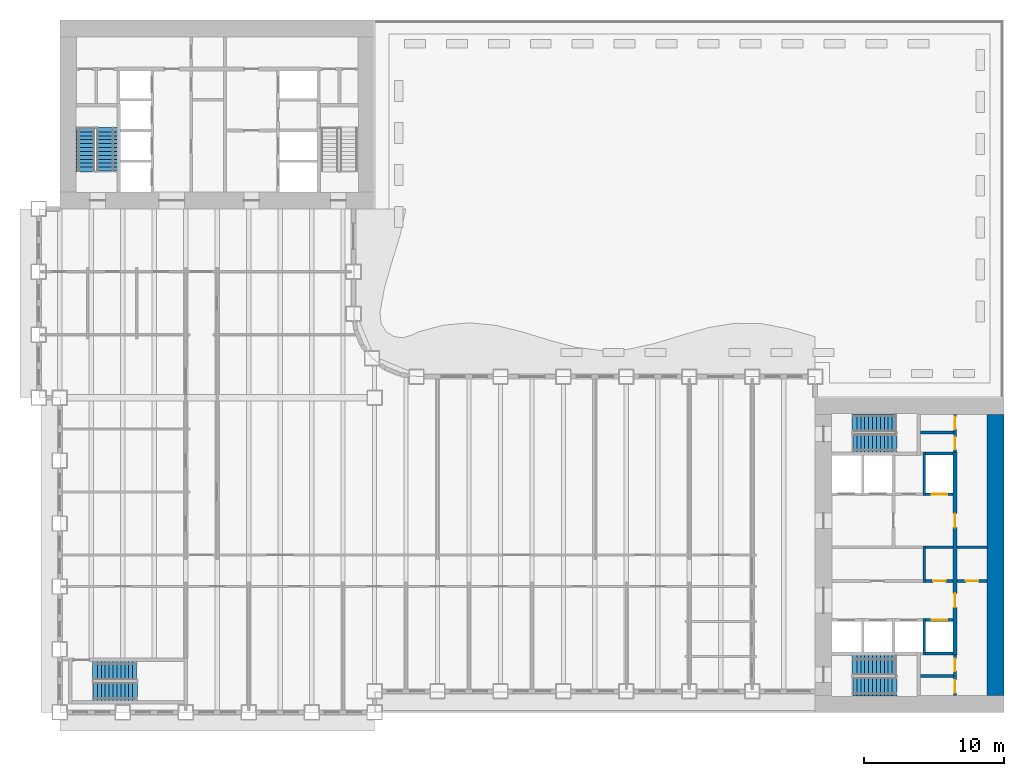
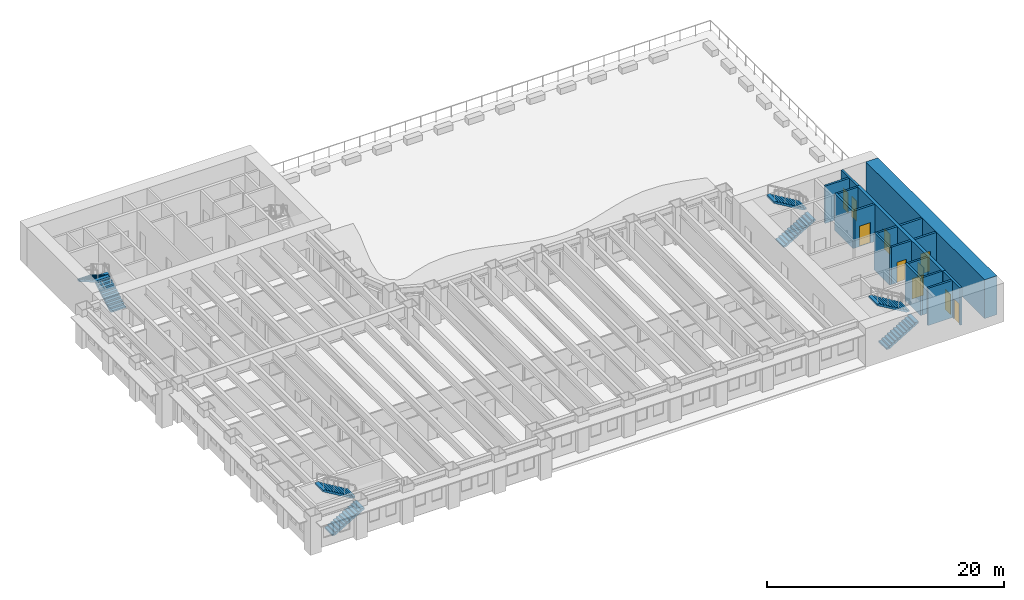
# One storey, part 9 of 18: 17 walls, 10 doors, 8 stair flights, 10 openings, 4 elements without a shape of their own.
"""IFC4 building model written with IfcOpenShell, lengths in metres."""

from ifc_helpers import new_model, si_unit, direction, frame, frame_2d, origin, place, context, subcontext, project, spatial, polyline, rectangle, outline, extrude, material, layer, layer_set, type_object, element, fill, aggregate, save


model = new_model("IFC4")

# Units and contexts
model_context = context("Model", 3, precision=1e-05, world=origin(), true_north=direction((0.0, 1.0)))
body_context = subcontext(model_context, "Body", "Model", "MODEL_VIEW")
ifc_project = project(units=[si_unit("LENGTHUNIT", "METRE"), si_unit("AREAUNIT", "SQUARE_METRE"), si_unit("VOLUMEUNIT", "CUBIC_METRE"), si_unit("PLANEANGLEUNIT", "RADIAN"), si_unit("MASSUNIT", "GRAM", prefix="KILO")], contexts=[model_context])

# Site, building, storey
site_placement = place(None, origin())
site = spatial("IfcSite", under=ifc_project, at=site_placement, CompositionType="ELEMENT")
building_placement = place(site_placement, origin())
building = spatial("IfcBuilding", under=site, at=building_placement, Name="Sennacour Bend Tower", CompositionType="ELEMENT")
storey_placement = place(building_placement, frame((0.0, 0.0, 29.0)))
storey = spatial("IfcBuildingStorey", under=building, at=storey_placement, Name="L05", CompositionType="ELEMENT", Elevation=29.0)

# Walls
ifc_material_1 = material(Name="Concrete C80/95", Category="concrete")
ifc_layer_1 = layer(ifc_material_1, 1.199951171875, Name="Concrete C80/95", Category="concrete")
ifc_layer_set_1 = layer_set([ifc_layer_1], Name="Concrete C80/95")
wall_type_1 = type_object("IfcWallType", Name="Core wall 1200 C80/95", PredefinedType="SHEAR", material=ifc_layer_set_1)
wall_1_placement = place(storey_placement, frame((66.89990234375, 1.199951171875, -0.14990234375), z_axis=(0.0, 0.0, 1.0), x_axis=(0.0, 1.0, 0.0)))
element("IfcWall", 1, at=wall_1_placement, inside=storey, type_object=wall_type_1, Name="Core A wall L05 E", PredefinedType="SHEAR", context=body_context, shape_type="SweptSolid", body=[
    extrude(rectangle(XDim=20.10009765625, YDim=1.199951171875, at=frame_2d((10.050048828125, 0.0))), origin(), (0.0, 0.0, 1.0), 4.0),
])
ifc_material_2 = material(Name="Fire-rated plasterboard partition on steel studs", Category="steel")
ifc_layer_2 = layer(ifc_material_2, 0.199951171875, Name="Fire-rated plasterboard partition on steel studs", Category="steel")
ifc_layer_set_2 = layer_set([ifc_layer_2], Name="Fire-rated plasterboard partition on steel studs")
wall_type_2 = type_object("IfcWallType", Name="Rated partition 200", PredefinedType="PARTITIONING", material=ifc_layer_set_2)
wall_2_placement = place(storey_placement, frame((61.800048828125, 9.300048828125, 0.0), z_axis=(0.0, 0.0, 1.0), x_axis=(0.0, 1.0, 0.0)))
element("IfcWall", 2, at=wall_2_placement, inside=storey, type_object=wall_type_2, Name="P-L05-W045", PredefinedType="PARTITIONING", context=body_context, shape_type="SweptSolid", body=[
    extrude(rectangle(XDim=2.599853515625, YDim=0.199951171875, at=frame_2d((1.2998046875, 0.0))), origin(), (0.0, 0.0, 1.0), 3.85009765625),
])

# Wall, openings, doors
wall_3_placement = place(storey_placement, frame((64.0, 1.199951171875, 0.0), z_axis=(0.0, 0.0, 1.0), x_axis=(0.0, 1.0, 0.0)))
wall_3 = element("IfcWall", 3, at=wall_3_placement, inside=storey, type_object=wall_type_2, Name="P-L05-W047", PredefinedType="PARTITIONING", context=body_context, shape_type="SweptSolid", body=[
    extrude(rectangle(XDim=2.900146484375, YDim=0.199951171875, at=frame_2d((1.4501953125, 0.0))), origin(), (0.0, 0.0, 1.0), 3.85009765625),
])
opening_1_placement = place(wall_3_placement, frame((0.199951171875, 0.0, 0.0)))
opening_1 = element("IfcOpeningElement", 4, at=opening_1_placement, cuts=wall_3, Name="Opening SV", PredefinedType="OPENING", context=body_context, shape_type="SweptSolid", body=[
    extrude(rectangle(XDim=0.89990234375, YDim=2.10009765625, at=frame_2d((0.449951171875, 1.050048828125))), frame((0.0, 0.10986328125, 0.0), z_axis=(0.0, -1.0, 0.0), x_axis=(1.0, 0.0, 0.0)), (0.0, 0.0, 1.0), 0.219970703125),
])
opening_2_placement = place(wall_3_placement, frame((1.75, 0.0, 0.0)))
opening_2 = element("IfcOpeningElement", 5, at=opening_2_placement, cuts=wall_3, Name="Opening WD", PredefinedType="OPENING", context=body_context, shape_type="SweptSolid", body=[
    extrude(rectangle(XDim=0.89990234375, YDim=2.10009765625, at=frame_2d((0.449951171875, 1.050048828125))), frame((0.0, 0.10986328125, 0.0), z_axis=(0.0, -1.0, 0.0), x_axis=(1.0, 0.0, 0.0)), (0.0, 0.0, 1.0), 0.219970703125),
])
ifc_material_3 = material(Name="Painted steel", Category="steel")
door_type_1 = type_object("IfcDoorType", Name="DR-SERVICE-900", OperationType="NOTDEFINED", PredefinedType="DOOR", material=ifc_material_3)
door_1_placement = place(opening_1_placement, origin())
door_1 = element("IfcDoor", 6, at=door_1_placement, inside=storey, type_object=door_type_1, Name="Door", OperationType="SINGLE_SWING_LEFT", OverallHeight=2.10009765625, OverallWidth=0.89990234375, PredefinedType="DOOR", context=body_context, shape_type="SweptSolid", body=[
    extrude(rectangle(XDim=0.89990234375, YDim=2.10009765625, at=frame_2d((0.449951171875, 1.050048828125))), frame((0.0, 0.02490234375, 0.0), z_axis=(0.0, -1.0, 0.0), x_axis=(1.0, 0.0, 0.0)), (0.0, 0.0, 1.0), 0.050048828125),
])
fill(opening_1, door_1)
ifc_material_4 = material(Name="Timber", Category="wood")
door_type_2 = type_object("IfcDoorType", Name="DR-WC-900", OperationType="NOTDEFINED", PredefinedType="DOOR", material=ifc_material_4)
door_2_placement = place(opening_2_placement, origin())
door_2 = element("IfcDoor", 7, at=door_2_placement, inside=storey, type_object=door_type_2, Name="Door", OperationType="SINGLE_SWING_RIGHT", OverallHeight=2.10009765625, OverallWidth=0.89990234375, PredefinedType="DOOR", context=body_context, shape_type="SweptSolid", body=[
    extrude(rectangle(XDim=0.89990234375, YDim=2.10009765625, at=frame_2d((0.449951171875, 1.050048828125))), frame((0.0, 0.02490234375, 0.0), z_axis=(0.0, -1.0, 0.0), x_axis=(1.0, 0.0, 0.0)), (0.0, 0.0, 1.0), 0.050048828125),
])
fill(opening_2, door_2)

wall_4_placement = place(storey_placement, frame((64.0, 18.60009765625, 0.0), z_axis=(0.0, 0.0, 1.0), x_axis=(0.0, 1.0, 0.0)))
wall_4 = element("IfcWall", 8, at=wall_4_placement, inside=storey, type_object=wall_type_2, Name="P-L05-W049", PredefinedType="PARTITIONING", context=body_context, shape_type="SweptSolid", body=[
    extrude(rectangle(XDim=2.699951171875, YDim=0.199951171875, at=frame_2d((1.35009765625, 0.0))), origin(), (0.0, 0.0, 1.0), 3.85009765625),
])
opening_3_placement = place(wall_4_placement, frame((0.199951171875, 0.0, 0.0)))
opening_3 = element("IfcOpeningElement", 9, at=opening_3_placement, cuts=wall_4, Name="Opening SV", PredefinedType="OPENING", context=body_context, shape_type="SweptSolid", body=[
    extrude(rectangle(XDim=0.89990234375, YDim=2.10009765625, at=frame_2d((0.449951171875, 1.050048828125))), frame((0.0, 0.10986328125, 0.0), z_axis=(0.0, -1.0, 0.0), x_axis=(1.0, 0.0, 0.0)), (0.0, 0.0, 1.0), 0.219970703125),
])
opening_4_placement = place(wall_4_placement, frame((1.64990234375, 0.0, 0.0)))
opening_4 = element("IfcOpeningElement", 10, at=opening_4_placement, cuts=wall_4, Name="Opening SV", PredefinedType="OPENING", context=body_context, shape_type="SweptSolid", body=[
    extrude(rectangle(XDim=0.89990234375, YDim=2.10009765625, at=frame_2d((0.449951171875, 1.050048828125))), frame((0.0, 0.10986328125, 0.0), z_axis=(0.0, -1.0, 0.0), x_axis=(1.0, 0.0, 0.0)), (0.0, 0.0, 1.0), 0.219970703125),
])
door_3_placement = place(opening_3_placement, origin())
door_3 = element("IfcDoor", 11, at=door_3_placement, inside=storey, type_object=door_type_1, Name="Door", OperationType="SINGLE_SWING_LEFT", OverallHeight=2.10009765625, OverallWidth=0.89990234375, PredefinedType="DOOR", context=body_context, shape_type="SweptSolid", body=[
    extrude(rectangle(XDim=0.89990234375, YDim=2.10009765625, at=frame_2d((0.449951171875, 1.050048828125))), frame((0.0, 0.02490234375, 0.0), z_axis=(0.0, -1.0, 0.0), x_axis=(1.0, 0.0, 0.0)), (0.0, 0.0, 1.0), 0.050048828125),
])
fill(opening_3, door_3)
door_4_placement = place(opening_4_placement, origin())
door_4 = element("IfcDoor", 12, at=door_4_placement, inside=storey, type_object=door_type_1, Name="Door", OperationType="SINGLE_SWING_RIGHT", OverallHeight=2.10009765625, OverallWidth=0.89990234375, PredefinedType="DOOR", context=body_context, shape_type="SweptSolid", body=[
    extrude(rectangle(XDim=0.89990234375, YDim=2.10009765625, at=frame_2d((0.449951171875, 1.050048828125))), frame((0.0, 0.02490234375, 0.0), z_axis=(0.0, -1.0, 0.0), x_axis=(1.0, 0.0, 0.0)), (0.0, 0.0, 1.0), 0.050048828125),
])
fill(opening_4, door_4)

# Wall
wall_5_placement = place(storey_placement, frame((61.52490234375, 2.60009765625, 0.0), z_axis=(0.0, 0.0, 1.0), x_axis=(1.0, 0.0, 0.0)))
element("IfcWall", 13, at=wall_5_placement, inside=storey, type_object=wall_type_2, Name="P-L05-W053", PredefinedType="PARTITIONING", context=body_context, shape_type="SweptSolid", body=[
    extrude(rectangle(XDim=2.375, YDim=0.199951171875, at=frame_2d((1.1875, 0.0))), origin(), (0.0, 0.0, 1.0), 3.85009765625),
])

# Wall, opening, door
wall_6_placement = place(storey_placement, frame((61.89990234375, 9.39990234375, 0.0), z_axis=(0.0, 0.0, 1.0), x_axis=(1.0, 0.0, 0.0)))
wall_6 = element("IfcWall", 14, at=wall_6_placement, inside=storey, type_object=wall_type_2, Name="P-L05-W062b", PredefinedType="PARTITIONING", context=body_context, shape_type="SweptSolid", body=[
    extrude(rectangle(XDim=1.9501953125, YDim=0.199951171875, at=frame_2d((0.97509765625, 0.0))), origin(), (0.0, 0.0, 1.0), 3.85009765625),
])
opening_5_placement = place(wall_6_placement, frame((0.525146484375, 0.0, 0.0)))
opening_5 = element("IfcOpeningElement", 15, at=opening_5_placement, cuts=wall_6, Name="Opening SV", PredefinedType="OPENING", context=body_context, shape_type="SweptSolid", body=[
    extrude(rectangle(XDim=0.89990234375, YDim=2.10009765625, at=frame_2d((0.449951171875, 1.050048828125))), frame((0.0, 0.10986328125, 0.0), z_axis=(0.0, -1.0, 0.0), x_axis=(1.0, 0.0, 0.0)), (0.0, 0.0, 1.0), 0.219970703125),
])
door_5_placement = place(opening_5_placement, origin())
door_5 = element("IfcDoor", 16, at=door_5_placement, inside=storey, type_object=door_type_1, Name="Door", OperationType="SINGLE_SWING_LEFT", OverallHeight=2.10009765625, OverallWidth=0.89990234375, PredefinedType="DOOR", context=body_context, shape_type="SweptSolid", body=[
    extrude(rectangle(XDim=0.89990234375, YDim=2.10009765625, at=frame_2d((0.449951171875, 1.050048828125))), frame((0.0, 0.02490234375, 0.0), z_axis=(0.0, -1.0, 0.0), x_axis=(1.0, 0.0, 0.0)), (0.0, 0.0, 1.0), 0.050048828125),
])
fill(opening_5, door_5)

wall_7_placement = place(storey_placement, frame((64.14990234375, 9.39990234375, 0.0), z_axis=(0.0, 0.0, 1.0), x_axis=(1.0, 0.0, 0.0)))
wall_7 = element("IfcWall", 17, at=wall_7_placement, inside=storey, type_object=wall_type_2, Name="P-L05-W062c", PredefinedType="PARTITIONING", context=body_context, shape_type="SweptSolid", body=[
    extrude(rectangle(XDim=2.150146484375, YDim=0.199951171875, at=frame_2d((1.0751953125, 0.0))), origin(), (0.0, 0.0, 1.0), 3.85009765625),
])
opening_6_placement = place(wall_7_placement, frame((0.625, 0.0, 0.0)))
opening_6 = element("IfcOpeningElement", 18, at=opening_6_placement, cuts=wall_7, Name="Opening SV", PredefinedType="OPENING", context=body_context, shape_type="SweptSolid", body=[
    extrude(rectangle(XDim=0.89990234375, YDim=2.10009765625, at=frame_2d((0.449951171875, 1.050048828125))), frame((0.0, 0.10986328125, 0.0), z_axis=(0.0, -1.0, 0.0), x_axis=(1.0, 0.0, 0.0)), (0.0, 0.0, 1.0), 0.219970703125),
])
door_6_placement = place(opening_6_placement, origin())
door_6 = element("IfcDoor", 19, at=door_6_placement, inside=storey, type_object=door_type_1, Name="Door", OperationType="SINGLE_SWING_LEFT", OverallHeight=2.10009765625, OverallWidth=0.89990234375, PredefinedType="DOOR", context=body_context, shape_type="SweptSolid", body=[
    extrude(rectangle(XDim=0.89990234375, YDim=2.10009765625, at=frame_2d((0.449951171875, 1.050048828125))), frame((0.0, 0.02490234375, 0.0), z_axis=(0.0, -1.0, 0.0), x_axis=(1.0, 0.0, 0.0)), (0.0, 0.0, 1.0), 0.050048828125),
])
fill(opening_6, door_6)

# Walls
wall_8_placement = place(storey_placement, frame((61.89990234375, 11.800048828125, 0.0), z_axis=(0.0, 0.0, 1.0), x_axis=(1.0, 0.0, 0.0)))
element("IfcWall", 20, at=wall_8_placement, inside=storey, type_object=wall_type_2, Name="P-L05-W064c", PredefinedType="PARTITIONING", context=body_context, shape_type="SweptSolid", body=[
    extrude(rectangle(XDim=1.9501953125, YDim=0.199951171875, at=frame_2d((0.97509765625, 0.0))), origin(), (0.0, 0.0, 1.0), 3.85009765625),
])
wall_9_placement = place(storey_placement, frame((64.14990234375, 11.800048828125, 0.0), z_axis=(0.0, 0.0, 1.0), x_axis=(1.0, 0.0, 0.0)))
element("IfcWall", 21, at=wall_9_placement, inside=storey, type_object=wall_type_2, Name="P-L05-W064d", PredefinedType="PARTITIONING", context=body_context, shape_type="SweptSolid", body=[
    extrude(rectangle(XDim=2.150146484375, YDim=0.199951171875, at=frame_2d((1.0751953125, 0.0))), origin(), (0.0, 0.0, 1.0), 3.85009765625),
])
wall_10_placement = place(storey_placement, frame((61.52490234375, 20.0, 0.0), z_axis=(0.0, 0.0, 1.0), x_axis=(1.0, 0.0, 0.0)))
element("IfcWall", 22, at=wall_10_placement, inside=storey, type_object=wall_type_2, Name="P-L05-W072", PredefinedType="PARTITIONING", context=body_context, shape_type="SweptSolid", body=[
    extrude(rectangle(XDim=2.375, YDim=0.199951171875, at=frame_2d((1.1875, 0.0))), origin(), (0.0, 0.0, 1.0), 3.85009765625),
])
ifc_material_5 = material(Name="Concrete C50/60", Category="concrete")
ifc_layer_3 = layer(ifc_material_5, 0.199951171875, Name="Concrete C50/60", Category="concrete")
ifc_layer_set_3 = layer_set([ifc_layer_3], Name="Concrete C50/60")
wall_type_3 = type_object("IfcWallType", Name="Shaft wall 200", PredefinedType="SOLIDWALL", material=ifc_layer_set_3)
wall_11_placement = place(storey_placement, frame((61.800048828125, 4.10009765625, 0.0), z_axis=(0.0, 0.0, 1.0), x_axis=(0.0, 1.0, 0.0)))
element("IfcWall", 23, at=wall_11_placement, inside=storey, type_object=wall_type_3, Name="P-L05-W044", PredefinedType="SOLIDWALL", context=body_context, shape_type="SweptSolid", body=[
    extrude(rectangle(XDim=2.599853515625, YDim=0.199951171875, at=frame_2d((1.2998046875, 0.0))), origin(), (0.0, 0.0, 1.0), 3.85009765625),
])
wall_12_placement = place(storey_placement, frame((61.800048828125, 15.5, 0.0), z_axis=(0.0, 0.0, 1.0), x_axis=(0.0, 1.0, 0.0)))
element("IfcWall", 24, at=wall_12_placement, inside=storey, type_object=wall_type_3, Name="P-L05-W046", PredefinedType="SOLIDWALL", context=body_context, shape_type="SweptSolid", body=[
    extrude(rectangle(XDim=3.10009765625, YDim=0.199951171875, at=frame_2d((1.550048828125, 0.0))), origin(), (0.0, 0.0, 1.0), 3.85009765625),
])
wall_13_placement = place(storey_placement, frame((61.89990234375, 4.199951171875, 0.0), z_axis=(0.0, 0.0, 1.0), x_axis=(1.0, 0.0, 0.0)))
element("IfcWall", 25, at=wall_13_placement, inside=storey, type_object=wall_type_3, Name="P-L05-W058b", PredefinedType="SOLIDWALL", context=body_context, shape_type="SweptSolid", body=[
    extrude(rectangle(XDim=1.9501953125, YDim=0.199951171875, at=frame_2d((0.97509765625, 0.0))), origin(), (0.0, 0.0, 1.0), 3.85009765625),
])

# Wall, opening, door
wall_14_placement = place(storey_placement, frame((61.89990234375, 6.60009765625, 0.0), z_axis=(0.0, 0.0, 1.0), x_axis=(1.0, 0.0, 0.0)))
wall_14 = element("IfcWall", 26, at=wall_14_placement, inside=storey, type_object=wall_type_3, Name="P-L05-W060d", PredefinedType="SOLIDWALL", context=body_context, shape_type="SweptSolid", body=[
    extrude(rectangle(XDim=1.9501953125, YDim=0.199951171875, at=frame_2d((0.97509765625, 0.0))), origin(), (0.0, 0.0, 1.0), 3.85009765625),
])
opening_7_placement = place(wall_14_placement, frame((0.425048828125, 0.0, 0.011962890625)))
opening_7 = element("IfcOpeningElement", 27, at=opening_7_placement, cuts=wall_14, Name="Opening LD", PredefinedType="OPENING", context=body_context, shape_type="SweptSolid", body=[
    extrude(rectangle(XDim=1.10009765625, YDim=2.10009765625, at=frame_2d((0.550048828125, 1.050048828125))), frame((0.0, 0.10986328125, 0.0), z_axis=(0.0, -1.0, 0.0), x_axis=(1.0, 0.0, 0.0)), (0.0, 0.0, 1.0), 0.219970703125),
])
ifc_material_6 = material(Name="Stainless steel", Category="steel")
door_type_3 = type_object("IfcDoorType", Name="DR-LANDING-1100", OperationType="NOTDEFINED", PredefinedType="DOOR", material=ifc_material_6)
door_7_placement = place(opening_7_placement, origin())
door_7 = element("IfcDoor", 28, at=door_7_placement, inside=storey, type_object=door_type_3, Name="Lift landing door LA4", OperationType="SLIDING_TO_RIGHT", OverallHeight=2.10009765625, OverallWidth=1.10009765625, PredefinedType="DOOR", context=body_context, shape_type="SweptSolid", body=[
    extrude(rectangle(XDim=1.10009765625, YDim=2.10009765625, at=frame_2d((0.550048828125, 1.050048828125))), frame((0.0, 0.02490234375, 0.0), z_axis=(0.0, -1.0, 0.0), x_axis=(1.0, 0.0, 0.0)), (0.0, 0.0, 1.0), 0.050048828125),
])
fill(opening_7, door_7)

wall_15_placement = place(storey_placement, frame((61.89990234375, 15.60009765625, 0.0), z_axis=(0.0, 0.0, 1.0), x_axis=(1.0, 0.0, 0.0)))
wall_15 = element("IfcWall", 29, at=wall_15_placement, inside=storey, type_object=wall_type_3, Name="P-L05-W067", PredefinedType="SOLIDWALL", context=body_context, shape_type="SweptSolid", body=[
    extrude(rectangle(XDim=1.9501953125, YDim=0.199951171875, at=frame_2d((0.97509765625, 0.0))), origin(), (0.0, 0.0, 1.0), 3.85009765625),
])
opening_8_placement = place(wall_15_placement, frame((0.425048828125, 0.0, 0.011962890625)))
opening_8 = element("IfcOpeningElement", 30, at=opening_8_placement, cuts=wall_15, Name="Opening LD", PredefinedType="OPENING", context=body_context, shape_type="SweptSolid", body=[
    extrude(rectangle(XDim=1.10009765625, YDim=2.10009765625, at=frame_2d((0.550048828125, 1.050048828125))), frame((0.0, 0.10986328125, 0.0), z_axis=(0.0, -1.0, 0.0), x_axis=(1.0, 0.0, 0.0)), (0.0, 0.0, 1.0), 0.219970703125),
])
door_8_placement = place(opening_8_placement, origin())
door_8 = element("IfcDoor", 31, at=door_8_placement, inside=storey, type_object=door_type_3, Name="Lift landing door LA5", OperationType="SLIDING_TO_LEFT", OverallHeight=2.10009765625, OverallWidth=1.10009765625, PredefinedType="DOOR", context=body_context, shape_type="SweptSolid", body=[
    extrude(rectangle(XDim=1.10009765625, YDim=2.10009765625, at=frame_2d((0.550048828125, 1.050048828125))), frame((0.0, 0.02490234375, 0.0), z_axis=(0.0, -1.0, 0.0), x_axis=(1.0, 0.0, 0.0)), (0.0, 0.0, 1.0), 0.050048828125),
])
fill(opening_8, door_8)

# Wall
wall_16_placement = place(storey_placement, frame((61.89990234375, 18.5, 0.0), z_axis=(0.0, 0.0, 1.0), x_axis=(1.0, 0.0, 0.0)))
element("IfcWall", 32, at=wall_16_placement, inside=storey, type_object=wall_type_3, Name="P-L05-W071", PredefinedType="SOLIDWALL", context=body_context, shape_type="SweptSolid", body=[
    extrude(rectangle(XDim=1.9501953125, YDim=0.199951171875, at=frame_2d((0.97509765625, 0.0))), origin(), (0.0, 0.0, 1.0), 3.85009765625),
])

# Wall, openings, doors
ifc_material_7 = material(Name="Concrete C60/75", Category="concrete")
ifc_layer_4 = layer(ifc_material_7, 0.300048828125, Name="Concrete C60/75", Category="concrete")
ifc_layer_set_4 = layer_set([ifc_layer_4], Name="Concrete C60/75")
wall_type_4 = type_object("IfcWallType", Name="Spine wall 300", PredefinedType="SHEAR", material=ifc_layer_set_4)
wall_17_placement = place(storey_placement, frame((64.0, 4.10009765625, 0.0), z_axis=(0.0, 0.0, 1.0), x_axis=(0.0, 1.0, 0.0)))
wall_17 = element("IfcWall", 33, at=wall_17_placement, inside=storey, type_object=wall_type_4, Name="P-L05-W048", PredefinedType="SHEAR", context=body_context, shape_type="SweptSolid", body=[
    extrude(rectangle(XDim=14.5, YDim=0.300048828125, at=frame_2d((7.25, 0.0))), origin(), (0.0, 0.0, 1.0), 3.85009765625),
])
opening_9_placement = place(wall_17_placement, frame((3.39990234375, 0.0, 0.0)))
opening_9 = element("IfcOpeningElement", 34, at=opening_9_placement, cuts=wall_17, Name="Opening CD2", PredefinedType="OPENING", context=body_context, shape_type="SweptSolid", body=[
    extrude(rectangle(XDim=1.0, YDim=2.10009765625, at=frame_2d((0.5, 1.050048828125))), frame((0.0, 0.16015625, 0.0), z_axis=(0.0, -1.0, 0.0), x_axis=(1.0, 0.0, 0.0)), (0.0, 0.0, 1.0), 0.320068359375),
])
opening_10_placement = place(wall_17_placement, frame((9.099853515625, 0.0, 0.0)))
opening_10 = element("IfcOpeningElement", 35, at=opening_10_placement, cuts=wall_17, Name="Opening CD2", PredefinedType="OPENING", context=body_context, shape_type="SweptSolid", body=[
    extrude(rectangle(XDim=1.0, YDim=2.10009765625, at=frame_2d((0.5, 1.050048828125))), frame((0.0, 0.16015625, 0.0), z_axis=(0.0, -1.0, 0.0), x_axis=(1.0, 0.0, 0.0)), (0.0, 0.0, 1.0), 0.320068359375),
])
door_type_4 = type_object("IfcDoorType", Name="DR-LOBBY-1000", OperationType="NOTDEFINED", PredefinedType="DOOR", material=ifc_material_3)
door_9_placement = place(opening_9_placement, origin())
door_9 = element("IfcDoor", 36, at=door_9_placement, inside=storey, type_object=door_type_4, Name="Door", OperationType="SINGLE_SWING_LEFT", OverallHeight=2.10009765625, OverallWidth=1.0, PredefinedType="DOOR", context=body_context, shape_type="SweptSolid", body=[
    extrude(rectangle(XDim=1.0, YDim=2.10009765625, at=frame_2d((0.5, 1.050048828125))), frame((0.0, 0.02490234375, 0.0), z_axis=(0.0, -1.0, 0.0), x_axis=(1.0, 0.0, 0.0)), (0.0, 0.0, 1.0), 0.050048828125),
])
fill(opening_9, door_9)
door_10_placement = place(opening_10_placement, origin())
door_10 = element("IfcDoor", 37, at=door_10_placement, inside=storey, type_object=door_type_4, Name="Door", OperationType="SINGLE_SWING_RIGHT", OverallHeight=2.10009765625, OverallWidth=1.0, PredefinedType="DOOR", context=body_context, shape_type="SweptSolid", body=[
    extrude(rectangle(XDim=1.0, YDim=2.10009765625, at=frame_2d((0.5, 1.050048828125))), frame((0.0, 0.02490234375, 0.0), z_axis=(0.0, -1.0, 0.0), x_axis=(1.0, 0.0, 0.0)), (0.0, 0.0, 1.0), 0.050048828125),
])
fill(opening_10, door_10)

# Stair, stair flights
ifc_material_8 = material(Name="Concrete C40/50", Category="concrete")
stair_type = type_object("IfcStairType", Name="ST-DOGLEG", PredefinedType="HALF_TURN_STAIR", material=ifc_material_8)
stair_1_placement = place(storey_placement, origin())
stair_1 = element("IfcStair", 38, at=stair_1_placement, inside=storey, type_object=stair_type, Name="L05 Exit stair A1", PredefinedType="HALF_TURN_STAIR")
stair_flight_type = type_object("IfcStairFlightType", Name="SFL-RC", PredefinedType="STRAIGHT", material=ifc_material_8)
stair_flight_1_placement = place(storey_placement, frame((56.699951171875, 1.8349609375, 0.0), z_axis=(0.0, 0.0, 1.0), x_axis=(1.0, 0.0, 0.0)))
stair_flight_1 = element("IfcStairFlight", 39, at=stair_flight_1_placement, type_object=stair_flight_type, Name="SA1 flight 1", NumberOfRisers=12, NumberOfTreads=11, PredefinedType="STRAIGHT", RiserHeight=0.166666667, TreadLength=0.28, context=body_context, shape_type="SweptSolid", body=[
    extrude(outline(polyline([(0.0, 0.0), (0.0, 0.166748046875), (0.280029296875, 0.166748046875), (0.280029296875, 0.333251953125), (0.56005859375, 0.333251953125), (0.56005859375, 0.5), (0.840087890625, 0.5), (0.840087890625, 0.666748046875), (1.1201171875, 0.666748046875), (1.1201171875, 0.833251953125), (1.39990234375, 0.833251953125), (1.39990234375, 1.0), (1.679931640625, 1.0), (1.679931640625, 1.166748046875), (1.9599609375, 1.166748046875), (1.9599609375, 1.333251953125), (2.239990234375, 1.333251953125), (2.239990234375, 1.5), (2.52001953125, 1.5), (2.52001953125, 1.666748046875), (2.800048828125, 1.666748046875), (2.800048828125, 1.833251953125), (3.080078125, 1.833251953125), (3.139892578125, 1.833251953125), (3.139892578125, 1.658935546875), (3.080078125, 1.658935546875), (0.29296875, 0.0), (0.0, 0.0)])), frame((0.0, 0.6650390625, 0.0), z_axis=(0.0, -1.0, 0.0), x_axis=(1.0, 0.0, 0.0)), (0.0, 0.0, 1.0), 1.330078125),
])
stair_flight_2_placement = place(storey_placement, frame((59.780029296875, 3.37744140625, 2.0), z_axis=(0.0, 0.0, 1.0), x_axis=(-1.0, 0.0, 0.0)))
stair_flight_2 = element("IfcStairFlight", 40, at=stair_flight_2_placement, type_object=stair_flight_type, Name="SA1 flight 2", NumberOfRisers=12, NumberOfTreads=11, PredefinedType="STRAIGHT", RiserHeight=0.166666667, TreadLength=0.28, context=body_context, shape_type="SweptSolid", body=[
    extrude(outline(polyline([(0.0, 0.0), (0.0, 0.166748046875), (0.280029296875, 0.166748046875), (0.280029296875, 0.333251953125), (0.56005859375, 0.333251953125), (0.56005859375, 0.5), (0.840087890625, 0.5), (0.840087890625, 0.666748046875), (1.1201171875, 0.666748046875), (1.1201171875, 0.833251953125), (1.39990234375, 0.833251953125), (1.39990234375, 1.0), (1.679931640625, 1.0), (1.679931640625, 1.166748046875), (1.9599609375, 1.166748046875), (1.9599609375, 1.333251953125), (2.239990234375, 1.333251953125), (2.239990234375, 1.5), (2.52001953125, 1.5), (2.52001953125, 1.666748046875), (2.800048828125, 1.666748046875), (2.800048828125, 1.833251953125), (3.080078125, 1.833251953125), (3.139892578125, 1.833251953125), (3.139892578125, 1.658935546875), (3.080078125, 1.658935546875), (0.29296875, 0.0), (0.0, 0.0)])), frame((0.0, 0.7275390625, 0.0), z_axis=(0.0, -1.0, 0.0), x_axis=(1.0, 0.0, 0.0)), (0.0, 0.0, 1.0), 1.455078125),
])
aggregate(stair_1, [stair_flight_1, stair_flight_2])

stair_2_placement = place(storey_placement, origin())
stair_2 = element("IfcStair", 41, at=stair_2_placement, inside=storey, type_object=stair_type, Name="L05 Exit stair A2", PredefinedType="HALF_TURN_STAIR")
stair_flight_3_placement = place(storey_placement, frame((56.699951171875, 19.24755859375, 0.0), z_axis=(0.0, 0.0, 1.0), x_axis=(1.0, 0.0, 0.0)))
stair_flight_3 = element("IfcStairFlight", 42, at=stair_flight_3_placement, type_object=stair_flight_type, Name="SA2 flight 1", NumberOfRisers=12, NumberOfTreads=11, PredefinedType="STRAIGHT", RiserHeight=0.166666667, TreadLength=0.28, context=body_context, shape_type="SweptSolid", body=[
    extrude(outline(polyline([(0.0, 0.0), (0.0, 0.166748046875), (0.280029296875, 0.166748046875), (0.280029296875, 0.333251953125), (0.56005859375, 0.333251953125), (0.56005859375, 0.5), (0.840087890625, 0.5), (0.840087890625, 0.666748046875), (1.1201171875, 0.666748046875), (1.1201171875, 0.833251953125), (1.39990234375, 0.833251953125), (1.39990234375, 1.0), (1.679931640625, 1.0), (1.679931640625, 1.166748046875), (1.9599609375, 1.166748046875), (1.9599609375, 1.333251953125), (2.239990234375, 1.333251953125), (2.239990234375, 1.5), (2.52001953125, 1.5), (2.52001953125, 1.666748046875), (2.800048828125, 1.666748046875), (2.800048828125, 1.833251953125), (3.080078125, 1.833251953125), (3.139892578125, 1.833251953125), (3.139892578125, 1.658935546875), (3.080078125, 1.658935546875), (0.29296875, 0.0), (0.0, 0.0)])), frame((0.0, 0.65234375, 0.0), z_axis=(0.0, -1.0, 0.0), x_axis=(1.0, 0.0, 0.0)), (0.0, 0.0, 1.0), 1.304931640625),
])
stair_flight_4_placement = place(storey_placement, frame((59.780029296875, 20.68994140625, 2.0), z_axis=(0.0, 0.0, 1.0), x_axis=(-1.0, 0.0, 0.0)))
stair_flight_4 = element("IfcStairFlight", 43, at=stair_flight_4_placement, type_object=stair_flight_type, Name="SA2 flight 2", NumberOfRisers=12, NumberOfTreads=11, PredefinedType="STRAIGHT", RiserHeight=0.166666667, TreadLength=0.28, context=body_context, shape_type="SweptSolid", body=[
    extrude(outline(polyline([(0.0, 0.0), (0.0, 0.166748046875), (0.280029296875, 0.166748046875), (0.280029296875, 0.333251953125), (0.56005859375, 0.333251953125), (0.56005859375, 0.5), (0.840087890625, 0.5), (0.840087890625, 0.666748046875), (1.1201171875, 0.666748046875), (1.1201171875, 0.833251953125), (1.39990234375, 0.833251953125), (1.39990234375, 1.0), (1.679931640625, 1.0), (1.679931640625, 1.166748046875), (1.9599609375, 1.166748046875), (1.9599609375, 1.333251953125), (2.239990234375, 1.333251953125), (2.239990234375, 1.5), (2.52001953125, 1.5), (2.52001953125, 1.666748046875), (2.800048828125, 1.666748046875), (2.800048828125, 1.833251953125), (3.080078125, 1.833251953125), (3.139892578125, 1.833251953125), (3.139892578125, 1.658935546875), (3.080078125, 1.658935546875), (0.29296875, 0.0), (0.0, 0.0)])), frame((0.0, 0.64013671875, 0.0), z_axis=(0.0, -1.0, 0.0), x_axis=(1.0, 0.0, 0.0)), (0.0, 0.0, 1.0), 1.280029296875),
])
aggregate(stair_2, [stair_flight_3, stair_flight_4])

stair_3_placement = place(storey_placement, origin())
stair_3 = element("IfcStair", 44, at=stair_3_placement, inside=storey, type_object=stair_type, Name="L05 Exit stair B1", PredefinedType="HALF_TURN_STAIR")
stair_flight_5_placement = place(storey_placement, frame((3.37744140625, 38.699951171875, 0.0), z_axis=(0.0, 0.0, 1.0), x_axis=(0.0, 1.0, 0.0)))
stair_flight_5 = element("IfcStairFlight", 45, at=stair_flight_5_placement, type_object=stair_flight_type, Name="SB1 flight 1", NumberOfRisers=12, NumberOfTreads=11, PredefinedType="STRAIGHT", RiserHeight=0.166666667, TreadLength=0.28, context=body_context, shape_type="SweptSolid", body=[
    extrude(outline(polyline([(0.0, 0.0), (0.0, 0.166748046875), (0.280029296875, 0.166748046875), (0.280029296875, 0.333251953125), (0.56005859375, 0.333251953125), (0.56005859375, 0.5), (0.840087890625, 0.5), (0.840087890625, 0.666748046875), (1.1201171875, 0.666748046875), (1.1201171875, 0.833251953125), (1.39990234375, 0.833251953125), (1.39990234375, 1.0), (1.679931640625, 1.0), (1.679931640625, 1.166748046875), (1.9599609375, 1.166748046875), (1.9599609375, 1.333251953125), (2.239990234375, 1.333251953125), (2.239990234375, 1.5), (2.52001953125, 1.5), (2.52001953125, 1.666748046875), (2.800048828125, 1.666748046875), (2.800048828125, 1.833251953125), (3.080078125, 1.833251953125), (3.139892578125, 1.833251953125), (3.139892578125, 1.658935546875), (3.080078125, 1.658935546875), (0.29296875, 0.0), (0.0, 0.0)])), frame((0.0, 0.7275390625, 0.0), z_axis=(0.0, -1.0, 0.0), x_axis=(1.0, 0.0, 0.0)), (0.0, 0.0, 1.0), 1.455078125),
])
stair_flight_6_placement = place(storey_placement, frame((1.8349609375, 41.780029296875, 2.0), z_axis=(0.0, 0.0, 1.0), x_axis=(0.0, -1.0, 0.0)))
stair_flight_6 = element("IfcStairFlight", 46, at=stair_flight_6_placement, type_object=stair_flight_type, Name="SB1 flight 2", NumberOfRisers=12, NumberOfTreads=11, PredefinedType="STRAIGHT", RiserHeight=0.166666667, TreadLength=0.28, context=body_context, shape_type="SweptSolid", body=[
    extrude(outline(polyline([(0.0, 0.0), (0.0, 0.166748046875), (0.280029296875, 0.166748046875), (0.280029296875, 0.333251953125), (0.56005859375, 0.333251953125), (0.56005859375, 0.5), (0.840087890625, 0.5), (0.840087890625, 0.666748046875), (1.1201171875, 0.666748046875), (1.1201171875, 0.833251953125), (1.39990234375, 0.833251953125), (1.39990234375, 1.0), (1.679931640625, 1.0), (1.679931640625, 1.166748046875), (1.9599609375, 1.166748046875), (1.9599609375, 1.333251953125), (2.239990234375, 1.333251953125), (2.239990234375, 1.5), (2.52001953125, 1.5), (2.52001953125, 1.666748046875), (2.800048828125, 1.666748046875), (2.800048828125, 1.833251953125), (3.080078125, 1.833251953125), (3.139892578125, 1.833251953125), (3.139892578125, 1.658935546875), (3.080078125, 1.658935546875), (0.29296875, 0.0), (0.0, 0.0)])), frame((0.0, 0.6650390625, 0.0), z_axis=(0.0, -1.0, 0.0), x_axis=(1.0, 0.0, 0.0)), (0.0, 0.0, 1.0), 1.330078125),
])
aggregate(stair_3, [stair_flight_5, stair_flight_6])

stair_4_placement = place(storey_placement, origin())
stair_4 = element("IfcStair", 47, at=stair_4_placement, inside=storey, type_object=stair_type, Name="L05 Exit stair K1", PredefinedType="HALF_TURN_STAIR")
stair_flight_7_placement = place(storey_placement, frame((2.39990234375, 1.485107421875, 0.0), z_axis=(0.0, 0.0, 1.0), x_axis=(1.0, 0.0, 0.0)))
stair_flight_7 = element("IfcStairFlight", 48, at=stair_flight_7_placement, type_object=stair_flight_type, Name="SK1 flight 1", NumberOfRisers=12, NumberOfTreads=11, PredefinedType="STRAIGHT", RiserHeight=0.166666667, TreadLength=0.28, context=body_context, shape_type="SweptSolid", body=[
    extrude(outline(polyline([(0.0, 0.0), (0.0, 0.166748046875), (0.280029296875, 0.166748046875), (0.280029296875, 0.333251953125), (0.56005859375, 0.333251953125), (0.56005859375, 0.5), (0.840087890625, 0.5), (0.840087890625, 0.666748046875), (1.1201171875, 0.666748046875), (1.1201171875, 0.833251953125), (1.39990234375, 0.833251953125), (1.39990234375, 1.0), (1.679931640625, 1.0), (1.679931640625, 1.166748046875), (1.9599609375, 1.166748046875), (1.9599609375, 1.333251953125), (2.239990234375, 1.333251953125), (2.239990234375, 1.5), (2.52001953125, 1.5), (2.52001953125, 1.666748046875), (2.800048828125, 1.666748046875), (2.800048828125, 1.833251953125), (3.080078125, 1.833251953125), (3.139892578125, 1.833251953125), (3.139892578125, 1.658935546875), (3.080078125, 1.658935546875), (0.29296875, 0.0), (0.0, 0.0)])), frame((0.0, 0.6650390625, 0.0), z_axis=(0.0, -1.0, 0.0), x_axis=(1.0, 0.0, 0.0)), (0.0, 0.0, 1.0), 1.330078125),
])
stair_flight_8_placement = place(storey_placement, frame((5.47998046875, 2.9775390625, 2.0), z_axis=(0.0, 0.0, 1.0), x_axis=(-1.0, 0.0, 0.0)))
stair_flight_8 = element("IfcStairFlight", 49, at=stair_flight_8_placement, type_object=stair_flight_type, Name="SK1 flight 2", NumberOfRisers=12, NumberOfTreads=11, PredefinedType="STRAIGHT", RiserHeight=0.166666667, TreadLength=0.28, context=body_context, shape_type="SweptSolid", body=[
    extrude(outline(polyline([(0.0, 0.0), (0.0, 0.166748046875), (0.280029296875, 0.166748046875), (0.280029296875, 0.333251953125), (0.56005859375, 0.333251953125), (0.56005859375, 0.5), (0.840087890625, 0.5), (0.840087890625, 0.666748046875), (1.1201171875, 0.666748046875), (1.1201171875, 0.833251953125), (1.39990234375, 0.833251953125), (1.39990234375, 1.0), (1.679931640625, 1.0), (1.679931640625, 1.166748046875), (1.9599609375, 1.166748046875), (1.9599609375, 1.333251953125), (2.239990234375, 1.333251953125), (2.239990234375, 1.5), (2.52001953125, 1.5), (2.52001953125, 1.666748046875), (2.800048828125, 1.666748046875), (2.800048828125, 1.833251953125), (3.080078125, 1.833251953125), (3.139892578125, 1.833251953125), (3.139892578125, 1.658935546875), (3.080078125, 1.658935546875), (0.29296875, 0.0), (0.0, 0.0)])), frame((0.0, 0.677490234375, 0.0), z_axis=(0.0, -1.0, 0.0), x_axis=(1.0, 0.0, 0.0)), (0.0, 0.0, 1.0), 1.35498046875),
])
aggregate(stair_4, [stair_flight_7, stair_flight_8])

save(model, "model.ifc")
